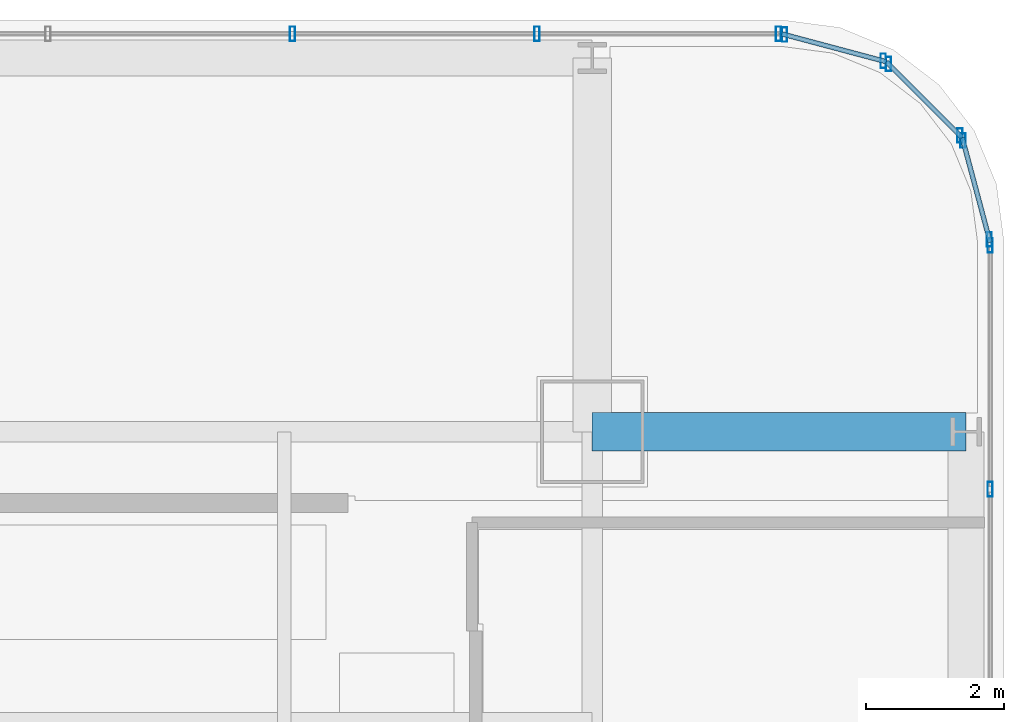
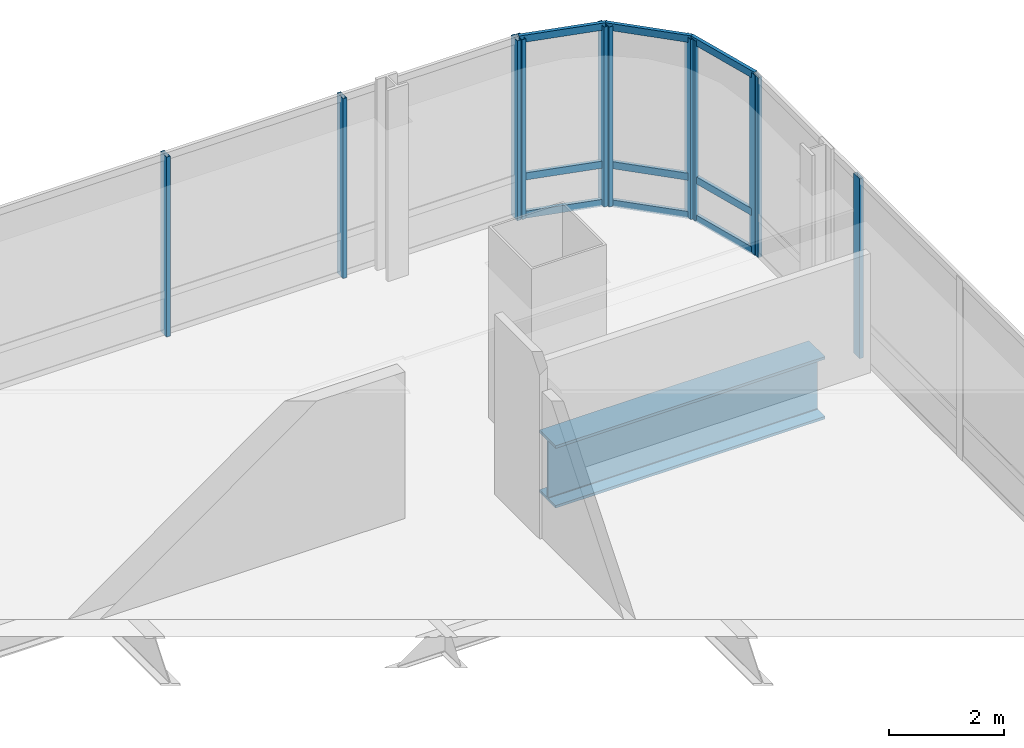
# One storey, part 24 of 34: 20 members, 1 beam, 5 elements without a shape of their own.
"""IFC4 building model written with IfcOpenShell, lengths in metres."""

from ifc_helpers import new_model, si_unit, direction, frame, origin, origin_2d, place, context, subcontext, project, spatial, hollow_rectangle, i_section, extrude, material, material_profile, profile_set, type_object, element, aggregate, save


model = new_model("IFC4")

# Units and contexts
model_context = context("Model", 3, precision=1e-05, world=origin(), true_north=direction((0.0, 1.0)))
body_context = subcontext(model_context, "Body", "Model", "MODEL_VIEW")
ifc_project = project(units=[si_unit("LENGTHUNIT", "METRE"), si_unit("AREAUNIT", "SQUARE_METRE"), si_unit("VOLUMEUNIT", "CUBIC_METRE"), si_unit("PLANEANGLEUNIT", "RADIAN"), si_unit("MASSUNIT", "GRAM", prefix="KILO")], contexts=[model_context])

# Site, building, storey
site_placement = place(None, origin())
site = spatial("IfcSite", under=ifc_project, at=site_placement, CompositionType="ELEMENT")
building_placement = place(site_placement, origin())
building = spatial("IfcBuilding", under=site, at=building_placement, Name="Punatoya Terracotta Tower", CompositionType="ELEMENT")
storey_placement = place(building_placement, frame((0.0, 0.0, 97.050048828125)))
storey = spatial("IfcBuildingStorey", under=building, at=storey_placement, Name="L22", CompositionType="ELEMENT", Elevation=97.050048828125)

# Beam
ifc_material_1 = material(Name="Steel S460", Category="steel")
ifc_material_profile_1 = material_profile(ifc_material_1, i_section(OverallWidth=0.56005859375, OverallDepth=1.320068359375, WebThickness=0.035888671875, FlangeThickness=0.054931640625, FilletRadius=0.01806640625, at=origin_2d()))
ifc_profile_set_1 = profile_set([ifc_material_profile_1], Name="Steel S460")
beam_type = type_object("IfcBeamType", Name="BM-TG-BLK", PredefinedType="BEAM", material=ifc_profile_set_1)
beam_placement = place(storey_placement, frame((19.10009765625, 17.5, -0.900146484375), z_axis=(1.0, 0.0, 0.0), x_axis=(0.0, 1.0, 0.0)))
element("IfcBeam", 1, at=beam_placement, inside=storey, type_object=beam_type, Name="BM-L22-CANT-E4", PredefinedType="BEAM", context=body_context, shape_type="SweptSolid", body=[
    extrude(i_section(OverallWidth=0.56005859375, OverallDepth=1.320068359375, WebThickness=0.035888671875, FlangeThickness=0.054931640625, FilletRadius=0.01806640625, at=origin_2d()), origin(), (0.0, 0.0, 1.0), 5.39990234375),
])

# Curtain wall, members
ifc_material_2 = material(Name="Aluminium 6063-T6 + Double Low-E Glass", Category="aluminium")
curtain_wall_type = type_object("IfcCurtainWallType", Name="CW-M1", PredefinedType="NOTDEFINED", material=ifc_material_2)
curtain_wall_1_placement = place(storey_placement, origin())
curtain_wall_1 = element("IfcCurtainWall", 2, at=curtain_wall_1_placement, inside=storey, type_object=curtain_wall_type, Name="L22 Curtain Wall CW-L22-E05-1", PredefinedType="NOTDEFINED")
ifc_material_3 = material(Name="Aluminium 6063-T6", Category="aluminium")
ifc_material_profile_2 = material_profile(ifc_material_3, hollow_rectangle(XDim=0.074951171875, YDim=0.2099609375, WallThickness=0.00439453125, at=origin_2d()))
ifc_profile_set_2 = profile_set([ifc_material_profile_2], Name="Aluminium 6063-T6")
member_type_1 = type_object("IfcMemberType", Name="CW-MUL-M1", PredefinedType="MULLION", material=ifc_profile_set_2)
member_1_placement = place(storey_placement, frame((24.85009765625, 16.66943359375, 0.0), z_axis=(0.0, 0.0, 1.0), x_axis=(1.0, 0.0, 0.0)))
member_1 = element("IfcMember", 3, at=member_1_placement, type_object=member_type_1, Name="CW-L22-E05-1 Mullion 09", PredefinedType="MULLION", context=body_context, shape_type="SweptSolid", body=[
    extrude(hollow_rectangle(XDim=0.074951171875, YDim=0.2099609375, WallThickness=0.00439453125, at=origin_2d()), origin(), (0.0, 0.0, 1.0), 3.81005859375),
])
member_2_placement = place(storey_placement, frame((24.85009765625, 20.19189453125, 0.0), z_axis=(0.0, 0.0, 1.0), x_axis=(1.0, 0.0, 0.0)))
member_2 = element("IfcMember", 4, at=member_2_placement, type_object=member_type_1, Name="CW-L22-E05-1 Mullion 10", PredefinedType="MULLION", context=body_context, shape_type="SweptSolid", body=[
    extrude(hollow_rectangle(XDim=0.074951171875, YDim=0.2099609375, WallThickness=0.00439453125, at=origin_2d()), origin(), (0.0, 0.0, 1.0), 3.81005859375),
])
aggregate(curtain_wall_1, [member_1, member_2])

curtain_wall_2_placement = place(storey_placement, origin())
curtain_wall_2 = element("IfcCurtainWall", 5, at=curtain_wall_2_placement, inside=storey, type_object=curtain_wall_type, Name="L22 Curtain Wall CW-L22-CRN06", PredefinedType="NOTDEFINED")
member_3_placement = place(storey_placement, frame((24.83837890625, 20.280517578125, 0.0), z_axis=(0.0, 0.0, 1.0), x_axis=(1.0, 0.0, 0.0)))
member_3 = element("IfcMember", 6, at=member_3_placement, type_object=member_type_1, Name="CW-L22-CRN06 Mullion 00", PredefinedType="MULLION", context=body_context, shape_type="SweptSolid", body=[
    extrude(hollow_rectangle(XDim=0.074951171875, YDim=0.2099609375, WallThickness=0.00439453125, at=origin_2d()), origin(), (0.0, 0.0, 1.0), 3.81005859375),
])
member_4_placement = place(storey_placement, frame((24.458251953125, 21.70556640625, 0.0), z_axis=(0.0, 0.0, 1.0), x_axis=(1.0, 0.0, 0.0)))
member_4 = element("IfcMember", 7, at=member_4_placement, type_object=member_type_1, Name="CW-L22-CRN06 Mullion 01", PredefinedType="MULLION", context=body_context, shape_type="SweptSolid", body=[
    extrude(hollow_rectangle(XDim=0.074951171875, YDim=0.2099609375, WallThickness=0.00439453125, at=origin_2d()), origin(), (0.0, 0.0, 1.0), 3.81005859375),
])

curtain_wall_3_placement = place(storey_placement, origin())
curtain_wall_3 = element("IfcCurtainWall", 8, at=curtain_wall_3_placement, inside=storey, type_object=curtain_wall_type, Name="L22 Curtain Wall CW-L22-CRN07", PredefinedType="NOTDEFINED")
member_5_placement = place(storey_placement, frame((24.414794921875, 21.781005859375, 0.0), z_axis=(0.0, 0.0, 1.0), x_axis=(1.0, 0.0, 0.0)))
member_5 = element("IfcMember", 9, at=member_5_placement, type_object=member_type_1, Name="CW-L22-CRN07 Mullion 00", PredefinedType="MULLION", context=body_context, shape_type="SweptSolid", body=[
    extrude(hollow_rectangle(XDim=0.074951171875, YDim=0.2099609375, WallThickness=0.00439453125, at=origin_2d()), origin(), (0.0, 0.0, 1.0), 3.81005859375),
])
member_6_placement = place(storey_placement, frame((23.380859375, 22.814697265625, 0.0), z_axis=(0.0, 0.0, 1.0), x_axis=(1.0, 0.0, 0.0)))
member_6 = element("IfcMember", 10, at=member_6_placement, type_object=member_type_1, Name="CW-L22-CRN07 Mullion 01", PredefinedType="MULLION", context=body_context, shape_type="SweptSolid", body=[
    extrude(hollow_rectangle(XDim=0.074951171875, YDim=0.2099609375, WallThickness=0.00439453125, at=origin_2d()), origin(), (0.0, 0.0, 1.0), 3.81005859375),
])

curtain_wall_4_placement = place(storey_placement, origin())
curtain_wall_4 = element("IfcCurtainWall", 11, at=curtain_wall_4_placement, inside=storey, type_object=curtain_wall_type, Name="L22 Curtain Wall CW-L22-CRN08", PredefinedType="NOTDEFINED")
member_7_placement = place(storey_placement, frame((23.3056640625, 22.858154296875, 0.0), z_axis=(0.0, 0.0, 1.0), x_axis=(1.0, 0.0, 0.0)))
member_7 = element("IfcMember", 12, at=member_7_placement, type_object=member_type_1, Name="CW-L22-CRN08 Mullion 00", PredefinedType="MULLION", context=body_context, shape_type="SweptSolid", body=[
    extrude(hollow_rectangle(XDim=0.074951171875, YDim=0.2099609375, WallThickness=0.00439453125, at=origin_2d()), origin(), (0.0, 0.0, 1.0), 3.81005859375),
])
member_8_placement = place(storey_placement, frame((21.88037109375, 23.23828125, 0.0), z_axis=(0.0, 0.0, 1.0), x_axis=(1.0, 0.0, 0.0)))
member_8 = element("IfcMember", 13, at=member_8_placement, type_object=member_type_1, Name="CW-L22-CRN08 Mullion 01", PredefinedType="MULLION", context=body_context, shape_type="SweptSolid", body=[
    extrude(hollow_rectangle(XDim=0.074951171875, YDim=0.2099609375, WallThickness=0.00439453125, at=origin_2d()), origin(), (0.0, 0.0, 1.0), 3.81005859375),
])

curtain_wall_5_placement = place(storey_placement, origin())
curtain_wall_5 = element("IfcCurtainWall", 14, at=curtain_wall_5_placement, inside=storey, type_object=curtain_wall_type, Name="L22 Curtain Wall CW-L22-N09-1", PredefinedType="NOTDEFINED")
member_9_placement = place(storey_placement, frame((21.7919921875, 23.25, 0.0), z_axis=(0.0, 0.0, 1.0), x_axis=(1.0, 0.0, 0.0)))
member_9 = element("IfcMember", 15, at=member_9_placement, type_object=member_type_1, Name="CW-L22-N09-1 Mullion 00", PredefinedType="MULLION", context=body_context, shape_type="SweptSolid", body=[
    extrude(hollow_rectangle(XDim=0.074951171875, YDim=0.2099609375, WallThickness=0.00439453125, at=origin_2d()), origin(), (0.0, 0.0, 1.0), 3.81005859375),
])
member_10_placement = place(storey_placement, frame((18.302978515625, 23.25, 0.0), z_axis=(0.0, 0.0, 1.0), x_axis=(1.0, 0.0, 0.0)))
member_10 = element("IfcMember", 16, at=member_10_placement, type_object=member_type_1, Name="CW-L22-N09-1 Mullion 01", PredefinedType="MULLION", context=body_context, shape_type="SweptSolid", body=[
    extrude(hollow_rectangle(XDim=0.074951171875, YDim=0.2099609375, WallThickness=0.00439453125, at=origin_2d()), origin(), (0.0, 0.0, 1.0), 3.81005859375),
])
member_11_placement = place(storey_placement, frame((14.768798828125, 23.25, 0.0), z_axis=(0.0, 0.0, 1.0), x_axis=(1.0, 0.0, 0.0)))
member_11 = element("IfcMember", 17, at=member_11_placement, type_object=member_type_1, Name="CW-L22-N09-1 Mullion 02", PredefinedType="MULLION", context=body_context, shape_type="SweptSolid", body=[
    extrude(hollow_rectangle(XDim=0.074951171875, YDim=0.2099609375, WallThickness=0.00439453125, at=origin_2d()), origin(), (0.0, 0.0, 1.0), 3.81005859375),
])
aggregate(curtain_wall_5, [member_9, member_10, member_11])

# Member
ifc_material_profile_3 = material_profile(ifc_material_3, hollow_rectangle(XDim=0.068115234375, YDim=0.14990234375, WallThickness=0.00390625, at=origin_2d()))
ifc_profile_set_3 = profile_set([ifc_material_profile_3], Name="Aluminium 6063-T6")
member_type_2 = type_object("IfcMemberType", Name="CW-TRN-TYP", PredefinedType="USERDEFINED", material=ifc_profile_set_3)
member_12_placement = place(storey_placement, frame((24.85009765625, 20.23681640625, 0.0400390625), z_axis=(-0.257847112249, 0.966185730957, 0.0), x_axis=(-0.966185730957, -0.257847112249, 0.0)))
member_12 = element("IfcMember", 18, at=member_12_placement, type_object=member_type_2, Name="CW-L22-CRN06 Transom 1", ObjectType="TRANSOM", PredefinedType="USERDEFINED", context=body_context, shape_type="SweptSolid", body=[
    extrude(hollow_rectangle(XDim=0.068115234375, YDim=0.14990234375, WallThickness=0.00390625, at=origin_2d()), origin(), (0.0, 0.0, 1.0), 1.565185546875),
])

member_13_placement = place(storey_placement, frame((24.85009765625, 20.23681640625, 0.849853515625), z_axis=(-0.257847112249, 0.966185730957, 0.0), x_axis=(-0.966185730957, -0.257847112249, 0.0)))
member_13 = element("IfcMember", 19, at=member_13_placement, type_object=member_type_2, Name="CW-L22-CRN06 Transom 2", ObjectType="TRANSOM", PredefinedType="USERDEFINED", context=body_context, shape_type="SweptSolid", body=[
    extrude(hollow_rectangle(XDim=0.068115234375, YDim=0.14990234375, WallThickness=0.00390625, at=origin_2d()), origin(), (0.0, 0.0, 1.0), 1.565185546875),
])

member_14_placement = place(storey_placement, frame((24.85009765625, 20.23681640625, 3.77001953125), z_axis=(-0.257847112249, 0.966185730957, 0.0), x_axis=(-0.966185730957, -0.257847112249, 0.0)))
member_14 = element("IfcMember", 20, at=member_14_placement, type_object=member_type_2, Name="CW-L22-CRN06 Transom 3", ObjectType="TRANSOM", PredefinedType="USERDEFINED", context=body_context, shape_type="SweptSolid", body=[
    extrude(hollow_rectangle(XDim=0.068115234375, YDim=0.14990234375, WallThickness=0.00390625, at=origin_2d()), origin(), (0.0, 0.0, 1.0), 1.565185546875),
])

aggregate(curtain_wall_2, [member_3, member_4, member_12, member_13, member_14])

member_15_placement = place(storey_placement, frame((24.446533203125, 21.7490234375, 0.0400390625), z_axis=(-0.707028130747, 0.707185422879, 0.0), x_axis=(-0.707185422879, -0.707028130747, 0.0)))
member_15 = element("IfcMember", 21, at=member_15_placement, type_object=member_type_2, Name="CW-L22-CRN07 Transom 1", ObjectType="TRANSOM", PredefinedType="USERDEFINED", context=body_context, shape_type="SweptSolid", body=[
    extrude(hollow_rectangle(XDim=0.068115234375, YDim=0.14990234375, WallThickness=0.00390625, at=origin_2d()), origin(), (0.0, 0.0, 1.0), 1.55224609375),
])

member_16_placement = place(storey_placement, frame((24.446533203125, 21.7490234375, 0.849853515625), z_axis=(-0.707028130747, 0.707185422879, 0.0), x_axis=(-0.707185422879, -0.707028130747, 0.0)))
member_16 = element("IfcMember", 22, at=member_16_placement, type_object=member_type_2, Name="CW-L22-CRN07 Transom 2", ObjectType="TRANSOM", PredefinedType="USERDEFINED", context=body_context, shape_type="SweptSolid", body=[
    extrude(hollow_rectangle(XDim=0.068115234375, YDim=0.14990234375, WallThickness=0.00390625, at=origin_2d()), origin(), (0.0, 0.0, 1.0), 1.55224609375),
])

member_17_placement = place(storey_placement, frame((24.446533203125, 21.7490234375, 3.77001953125), z_axis=(-0.707028130747, 0.707185422879, 0.0), x_axis=(-0.707185422879, -0.707028130747, 0.0)))
member_17 = element("IfcMember", 23, at=member_17_placement, type_object=member_type_2, Name="CW-L22-CRN07 Transom 3", ObjectType="TRANSOM", PredefinedType="USERDEFINED", context=body_context, shape_type="SweptSolid", body=[
    extrude(hollow_rectangle(XDim=0.068115234375, YDim=0.14990234375, WallThickness=0.00390625, at=origin_2d()), origin(), (0.0, 0.0, 1.0), 1.55224609375),
])

aggregate(curtain_wall_3, [member_5, member_6, member_15, member_16, member_17])

member_18_placement = place(storey_placement, frame((23.34912109375, 22.8466796875, 0.0400390625), z_axis=(-0.966224582397, 0.257701486942, 0.0), x_axis=(-0.257701486942, -0.966224582397, 0.0)))
member_18 = element("IfcMember", 24, at=member_18_placement, type_object=member_type_2, Name="CW-L22-CRN08 Transom 1", ObjectType="TRANSOM", PredefinedType="USERDEFINED", context=body_context, shape_type="SweptSolid", body=[
    extrude(hollow_rectangle(XDim=0.068115234375, YDim=0.14990234375, WallThickness=0.00390625, at=origin_2d()), origin(), (0.0, 0.0, 1.0), 1.565185546875),
])

member_19_placement = place(storey_placement, frame((23.34912109375, 22.8466796875, 0.849853515625), z_axis=(-0.966224582397, 0.257701486942, 0.0), x_axis=(-0.257701486942, -0.966224582397, 0.0)))
member_19 = element("IfcMember", 25, at=member_19_placement, type_object=member_type_2, Name="CW-L22-CRN08 Transom 2", ObjectType="TRANSOM", PredefinedType="USERDEFINED", context=body_context, shape_type="SweptSolid", body=[
    extrude(hollow_rectangle(XDim=0.068115234375, YDim=0.14990234375, WallThickness=0.00390625, at=origin_2d()), origin(), (0.0, 0.0, 1.0), 1.565185546875),
])

member_20_placement = place(storey_placement, frame((23.34912109375, 22.8466796875, 3.77001953125), z_axis=(-0.966224582397, 0.257701486942, 0.0), x_axis=(-0.257701486942, -0.966224582397, 0.0)))
member_20 = element("IfcMember", 26, at=member_20_placement, type_object=member_type_2, Name="CW-L22-CRN08 Transom 3", ObjectType="TRANSOM", PredefinedType="USERDEFINED", context=body_context, shape_type="SweptSolid", body=[
    extrude(hollow_rectangle(XDim=0.068115234375, YDim=0.14990234375, WallThickness=0.00390625, at=origin_2d()), origin(), (0.0, 0.0, 1.0), 1.565185546875),
])

aggregate(curtain_wall_4, [member_7, member_8, member_18, member_19, member_20])

save(model, "model.ifc")
